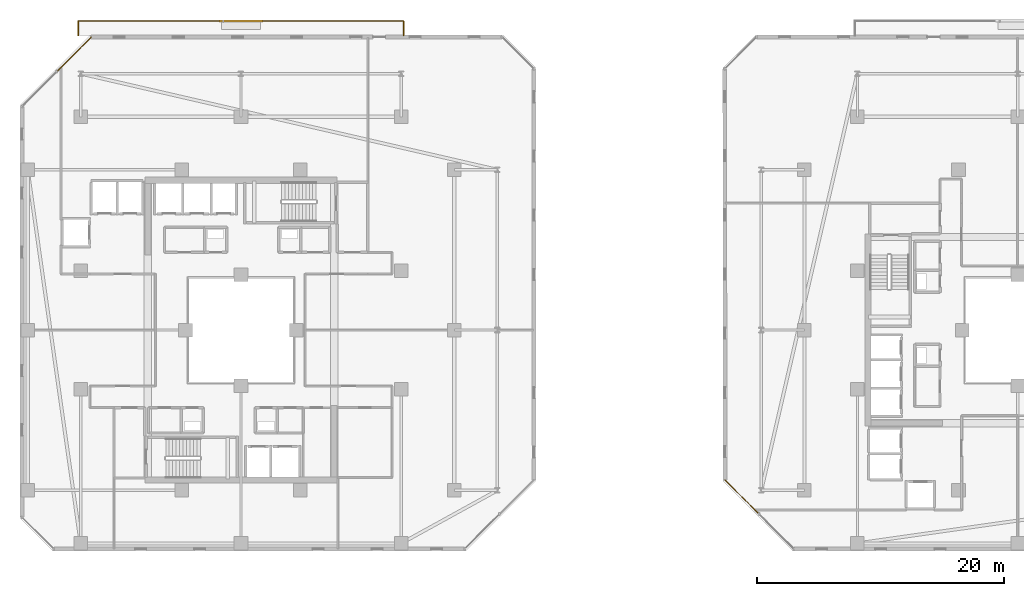
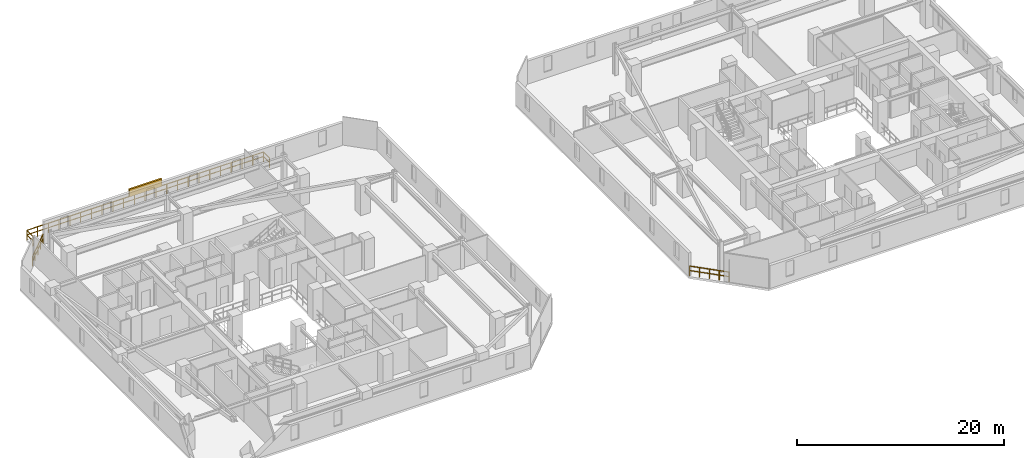
# One storey, part 30 of 32: 3 railings, 1 shading device.
"""IFC4 building model written with IfcOpenShell, lengths in metres."""

from ifc_helpers import new_model, si_unit, direction, frame, origin, origin_2d, place, context, subcontext, project, spatial, rectangle, extrude, material, type_object, element, save


model = new_model("IFC4")

# Units and contexts
model_context = context("Model", 3, precision=1e-05, world=origin(), true_north=direction((0.0, 1.0)))
body_context = subcontext(model_context, "Body", "Model", "MODEL_VIEW")
ifc_project = project(units=[si_unit("LENGTHUNIT", "METRE"), si_unit("AREAUNIT", "SQUARE_METRE"), si_unit("VOLUMEUNIT", "CUBIC_METRE"), si_unit("PLANEANGLEUNIT", "RADIAN"), si_unit("MASSUNIT", "GRAM", prefix="KILO")], contexts=[model_context])

# Site, building, storey
site_placement = place(None, origin())
site = spatial("IfcSite", under=ifc_project, at=site_placement, CompositionType="ELEMENT")
building_placement = place(site_placement, origin())
building = spatial("IfcBuilding", under=site, at=building_placement, Name="Thornwick Lancets Civic Towers", CompositionType="ELEMENT")
storey_placement = place(building_placement, frame((0.0, 0.0, 182.10009765625)))
storey = spatial("IfcBuildingStorey", under=building, at=storey_placement, Name="L48", CompositionType="ELEMENT", Elevation=182.10009765625)

# Railings
ifc_material_1 = material(Name="Terracotta-capped laminated glass balustrade S355", Category="masonry")
railing_type = type_object("IfcRailingType", Name="RAIL_TERR_GUARD", PredefinedType="GUARDRAIL", material=ifc_material_1)
railing_1_placement = place(storey_placement, frame((13.35205078125, 50.754638671875, 0.0)))
element("IfcRailing", 1, at=railing_1_placement, inside=storey, type_object=railing_type, Name="L48 Tower A Chamfer Spandrel Guard E5-1", PredefinedType="GUARDRAIL", context=body_context, shape_type="SweptSolid", body=[
    extrude(rectangle(XDim=0.048095703125, YDim=0.048095703125, at=origin_2d()), frame((0.0, 0.0, 1.1259765625), z_axis=(-0.707075811876, -0.707137749141, 0.0), x_axis=(0.707137749141, -0.707075811876, 0.0)), (0.0, 0.0, 1.0), 3.941650390625),
    extrude(rectangle(XDim=0.0419921875, YDim=0.0419921875, at=origin_2d()), frame((-0.026611328125, -0.026611328125, 0.597900390625), z_axis=(-0.707075811876, -0.707137749141, 0.0), x_axis=(0.707137749141, -0.707075811876, 0.0)), (0.0, 0.0, 1.0), 0.910400390625),
    extrude(rectangle(XDim=0.0419921875, YDim=0.0419921875, at=origin_2d()), frame((-0.723388671875, -0.723388671875, 0.597900390625), z_axis=(-0.707075811876, -0.707137749141, 0.0), x_axis=(0.707137749141, -0.707075811876, 0.0)), (0.0, 0.0, 1.0), 0.910400390625),
    extrude(rectangle(XDim=0.0419921875, YDim=0.0419921875, at=origin_2d()), frame((-1.420166015625, -1.420166015625, 0.597900390625), z_axis=(-0.707075811876, -0.707137749141, 0.0), x_axis=(0.707137749141, -0.707075811876, 0.0)), (0.0, 0.0, 1.0), 0.910400390625),
    extrude(rectangle(XDim=0.0419921875, YDim=0.0419921875, at=origin_2d()), frame((-2.116943359375, -2.116943359375, 0.597900390625), z_axis=(-0.707075811876, -0.707137749141, 0.0), x_axis=(0.707137749141, -0.707075811876, 0.0)), (0.0, 0.0, 1.0), 0.910400390625),
    extrude(rectangle(XDim=0.0419921875, YDim=0.0419921875, at=origin_2d()), origin(), (0.0, 0.0, 1.0), 1.095703125),
    extrude(rectangle(XDim=0.0419921875, YDim=0.0419921875, at=origin_2d()), frame((-0.69677734375, -0.69677734375, 0.0)), (0.0, 0.0, 1.0), 1.095703125),
    extrude(rectangle(XDim=0.0419921875, YDim=0.0419921875, at=origin_2d()), frame((-1.3935546875, -1.3935546875, 0.0)), (0.0, 0.0, 1.0), 1.095703125),
    extrude(rectangle(XDim=0.0419921875, YDim=0.0419921875, at=origin_2d()), frame((-2.09033203125, -2.090576171875, 0.0)), (0.0, 0.0, 1.0), 1.095703125),
    extrude(rectangle(XDim=0.0419921875, YDim=0.0419921875, at=origin_2d()), frame((-2.787109375, -2.787353515625, 0.0)), (0.0, 0.0, 1.0), 1.095703125),
])
railing_2_placement = place(storey_placement, frame((12.300048828125, 50.89990234375, 0.0)))
element("IfcRailing", 2, at=railing_2_placement, inside=storey, type_object=railing_type, Name="L48 Tower A Balcony Guard N", PredefinedType="GUARDRAIL", context=body_context, shape_type="SweptSolid", body=[
    extrude(rectangle(XDim=0.048095703125, YDim=0.048095703125, at=origin_2d()), frame((0.0, 0.0, 1.1259765625), z_axis=(0.0, 1.0, 0.0), x_axis=(-1.0, 0.0, 0.0)), (0.0, 0.0, 1.0), 1.138916015625),
    extrude(rectangle(XDim=0.0419921875, YDim=0.0419921875, at=origin_2d()), frame((0.0, 0.03759765625, 0.597900390625), z_axis=(0.0, 1.0, 0.0), x_axis=(-1.0, 0.0, 0.0)), (0.0, 0.0, 1.0), 1.09521484375),
    extrude(rectangle(XDim=0.048095703125, YDim=0.048095703125, at=origin_2d()), frame((0.03125, 1.170166015625, 1.1259765625), z_axis=(1.0, 0.0, 0.0), x_axis=(0.0, 1.0, 0.0)), (0.0, 0.0, 1.0), 26.33740234375),
    extrude(rectangle(XDim=0.0419921875, YDim=0.0419921875, at=origin_2d()), frame((0.03759765625, 1.170166015625, 0.597900390625), z_axis=(1.0, 0.0, 0.0), x_axis=(0.0, 1.0, 0.0)), (0.0, 0.0, 1.0), 1.125),
    extrude(rectangle(XDim=0.0419921875, YDim=0.0419921875, at=origin_2d()), frame((1.237548828125, 1.170166015625, 0.597900390625), z_axis=(1.0, 0.0, 0.0), x_axis=(0.0, 1.0, 0.0)), (0.0, 0.0, 1.0), 1.125),
    extrude(rectangle(XDim=0.0419921875, YDim=0.0419921875, at=origin_2d()), frame((2.4375, 1.170166015625, 0.597900390625), z_axis=(1.0, 0.0, 0.0), x_axis=(0.0, 1.0, 0.0)), (0.0, 0.0, 1.0), 1.125),
    extrude(rectangle(XDim=0.0419921875, YDim=0.0419921875, at=origin_2d()), frame((3.637451171875, 1.170166015625, 0.597900390625), z_axis=(1.0, 0.0, 0.0), x_axis=(0.0, 1.0, 0.0)), (0.0, 0.0, 1.0), 1.125),
    extrude(rectangle(XDim=0.0419921875, YDim=0.0419921875, at=origin_2d()), frame((4.83740234375, 1.170166015625, 0.597900390625), z_axis=(1.0, 0.0, 0.0), x_axis=(0.0, 1.0, 0.0)), (0.0, 0.0, 1.0), 1.125),
    extrude(rectangle(XDim=0.0419921875, YDim=0.0419921875, at=origin_2d()), frame((6.037353515625, 1.170166015625, 0.597900390625), z_axis=(1.0, 0.0, 0.0), x_axis=(0.0, 1.0, 0.0)), (0.0, 0.0, 1.0), 1.125),
    extrude(rectangle(XDim=0.0419921875, YDim=0.0419921875, at=origin_2d()), frame((7.237548828125, 1.170166015625, 0.597900390625), z_axis=(1.0, 0.0, 0.0), x_axis=(0.0, 1.0, 0.0)), (0.0, 0.0, 1.0), 1.125),
    extrude(rectangle(XDim=0.0419921875, YDim=0.0419921875, at=origin_2d()), frame((8.4375, 1.170166015625, 0.597900390625), z_axis=(1.0, 0.0, 0.0), x_axis=(0.0, 1.0, 0.0)), (0.0, 0.0, 1.0), 1.125),
    extrude(rectangle(XDim=0.0419921875, YDim=0.0419921875, at=origin_2d()), frame((9.637451171875, 1.170166015625, 0.597900390625), z_axis=(1.0, 0.0, 0.0), x_axis=(0.0, 1.0, 0.0)), (0.0, 0.0, 1.0), 1.125),
    extrude(rectangle(XDim=0.0419921875, YDim=0.0419921875, at=origin_2d()), frame((10.83740234375, 1.170166015625, 0.597900390625), z_axis=(1.0, 0.0, 0.0), x_axis=(0.0, 1.0, 0.0)), (0.0, 0.0, 1.0), 1.125),
    extrude(rectangle(XDim=0.0419921875, YDim=0.0419921875, at=origin_2d()), frame((12.037353515625, 1.170166015625, 0.597900390625), z_axis=(1.0, 0.0, 0.0), x_axis=(0.0, 1.0, 0.0)), (0.0, 0.0, 1.0), 1.125),
    extrude(rectangle(XDim=0.0419921875, YDim=0.0419921875, at=origin_2d()), frame((13.237548828125, 1.170166015625, 0.597900390625), z_axis=(1.0, 0.0, 0.0), x_axis=(0.0, 1.0, 0.0)), (0.0, 0.0, 1.0), 1.125),
    extrude(rectangle(XDim=0.0419921875, YDim=0.0419921875, at=origin_2d()), frame((14.4375, 1.170166015625, 0.597900390625), z_axis=(1.0, 0.0, 0.0), x_axis=(0.0, 1.0, 0.0)), (0.0, 0.0, 1.0), 1.125),
    extrude(rectangle(XDim=0.0419921875, YDim=0.0419921875, at=origin_2d()), frame((15.637451171875, 1.170166015625, 0.597900390625), z_axis=(1.0, 0.0, 0.0), x_axis=(0.0, 1.0, 0.0)), (0.0, 0.0, 1.0), 1.125),
    extrude(rectangle(XDim=0.0419921875, YDim=0.0419921875, at=origin_2d()), frame((16.83740234375, 1.170166015625, 0.597900390625), z_axis=(1.0, 0.0, 0.0), x_axis=(0.0, 1.0, 0.0)), (0.0, 0.0, 1.0), 1.125),
    extrude(rectangle(XDim=0.0419921875, YDim=0.0419921875, at=origin_2d()), frame((18.037353515625, 1.170166015625, 0.597900390625), z_axis=(1.0, 0.0, 0.0), x_axis=(0.0, 1.0, 0.0)), (0.0, 0.0, 1.0), 1.125),
    extrude(rectangle(XDim=0.0419921875, YDim=0.0419921875, at=origin_2d()), frame((19.2373046875, 1.170166015625, 0.597900390625), z_axis=(1.0, 0.0, 0.0), x_axis=(0.0, 1.0, 0.0)), (0.0, 0.0, 1.0), 1.125),
    extrude(rectangle(XDim=0.0419921875, YDim=0.0419921875, at=origin_2d()), frame((20.4375, 1.170166015625, 0.597900390625), z_axis=(1.0, 0.0, 0.0), x_axis=(0.0, 1.0, 0.0)), (0.0, 0.0, 1.0), 1.125),
    extrude(rectangle(XDim=0.0419921875, YDim=0.0419921875, at=origin_2d()), frame((21.637451171875, 1.170166015625, 0.597900390625), z_axis=(1.0, 0.0, 0.0), x_axis=(0.0, 1.0, 0.0)), (0.0, 0.0, 1.0), 1.125),
    extrude(rectangle(XDim=0.0419921875, YDim=0.0419921875, at=origin_2d()), frame((22.83740234375, 1.170166015625, 0.597900390625), z_axis=(1.0, 0.0, 0.0), x_axis=(0.0, 1.0, 0.0)), (0.0, 0.0, 1.0), 1.125),
    extrude(rectangle(XDim=0.0419921875, YDim=0.0419921875, at=origin_2d()), frame((24.037353515625, 1.170166015625, 0.597900390625), z_axis=(1.0, 0.0, 0.0), x_axis=(0.0, 1.0, 0.0)), (0.0, 0.0, 1.0), 1.125),
    extrude(rectangle(XDim=0.0419921875, YDim=0.0419921875, at=origin_2d()), frame((25.2373046875, 1.170166015625, 0.597900390625), z_axis=(1.0, 0.0, 0.0), x_axis=(0.0, 1.0, 0.0)), (0.0, 0.0, 1.0), 1.125),
    extrude(rectangle(XDim=0.048095703125, YDim=0.048095703125, at=origin_2d()), frame((26.39990234375, 1.138916015625, 1.1259765625), z_axis=(0.0, -1.0, 0.0), x_axis=(1.0, 0.0, 0.0)), (0.0, 0.0, 1.0), 1.138916015625),
    extrude(rectangle(XDim=0.0419921875, YDim=0.0419921875, at=origin_2d()), frame((26.39990234375, 1.132568359375, 0.597900390625), z_axis=(0.0, -1.0, 0.0), x_axis=(1.0, 0.0, 0.0)), (0.0, 0.0, 1.0), 1.09521484375),
    extrude(rectangle(XDim=0.0419921875, YDim=0.0419921875, at=origin_2d()), origin(), (0.0, 0.0, 1.0), 1.095703125),
    extrude(rectangle(XDim=0.0419921875, YDim=0.0419921875, at=origin_2d()), frame((0.0, 1.170166015625, 0.0)), (0.0, 0.0, 1.0), 1.095703125),
    extrude(rectangle(XDim=0.0419921875, YDim=0.0419921875, at=origin_2d()), frame((1.199951171875, 1.170166015625, 0.0)), (0.0, 0.0, 1.0), 1.095703125),
    extrude(rectangle(XDim=0.0419921875, YDim=0.0419921875, at=origin_2d()), frame((2.39990234375, 1.170166015625, 0.0)), (0.0, 0.0, 1.0), 1.095703125),
    extrude(rectangle(XDim=0.0419921875, YDim=0.0419921875, at=origin_2d()), frame((3.60009765625, 1.170166015625, 0.0)), (0.0, 0.0, 1.0), 1.095703125),
    extrude(rectangle(XDim=0.0419921875, YDim=0.0419921875, at=origin_2d()), frame((4.800048828125, 1.170166015625, 0.0)), (0.0, 0.0, 1.0), 1.095703125),
    extrude(rectangle(XDim=0.0419921875, YDim=0.0419921875, at=origin_2d()), frame((6.0, 1.170166015625, 0.0)), (0.0, 0.0, 1.0), 1.095703125),
    extrude(rectangle(XDim=0.0419921875, YDim=0.0419921875, at=origin_2d()), frame((7.199951171875, 1.170166015625, 0.0)), (0.0, 0.0, 1.0), 1.095703125),
    extrude(rectangle(XDim=0.0419921875, YDim=0.0419921875, at=origin_2d()), frame((8.39990234375, 1.170166015625, 0.0)), (0.0, 0.0, 1.0), 1.095703125),
    extrude(rectangle(XDim=0.0419921875, YDim=0.0419921875, at=origin_2d()), frame((9.599853515625, 1.170166015625, 0.0)), (0.0, 0.0, 1.0), 1.095703125),
    extrude(rectangle(XDim=0.0419921875, YDim=0.0419921875, at=origin_2d()), frame((10.800048828125, 1.170166015625, 0.0)), (0.0, 0.0, 1.0), 1.095703125),
    extrude(rectangle(XDim=0.0419921875, YDim=0.0419921875, at=origin_2d()), frame((12.0, 1.170166015625, 0.0)), (0.0, 0.0, 1.0), 1.095703125),
    extrude(rectangle(XDim=0.0419921875, YDim=0.0419921875, at=origin_2d()), frame((13.199951171875, 1.170166015625, 0.0)), (0.0, 0.0, 1.0), 1.095703125),
    extrude(rectangle(XDim=0.0419921875, YDim=0.0419921875, at=origin_2d()), frame((14.39990234375, 1.170166015625, 0.0)), (0.0, 0.0, 1.0), 1.095703125),
    extrude(rectangle(XDim=0.0419921875, YDim=0.0419921875, at=origin_2d()), frame((15.599853515625, 1.170166015625, 0.0)), (0.0, 0.0, 1.0), 1.095703125),
    extrude(rectangle(XDim=0.0419921875, YDim=0.0419921875, at=origin_2d()), frame((16.800048828125, 1.170166015625, 0.0)), (0.0, 0.0, 1.0), 1.095703125),
    extrude(rectangle(XDim=0.0419921875, YDim=0.0419921875, at=origin_2d()), frame((18.0, 1.170166015625, 0.0)), (0.0, 0.0, 1.0), 1.095703125),
    extrude(rectangle(XDim=0.0419921875, YDim=0.0419921875, at=origin_2d()), frame((19.199951171875, 1.170166015625, 0.0)), (0.0, 0.0, 1.0), 1.095703125),
    extrude(rectangle(XDim=0.0419921875, YDim=0.0419921875, at=origin_2d()), frame((20.39990234375, 1.170166015625, 0.0)), (0.0, 0.0, 1.0), 1.095703125),
    extrude(rectangle(XDim=0.0419921875, YDim=0.0419921875, at=origin_2d()), frame((21.599853515625, 1.170166015625, 0.0)), (0.0, 0.0, 1.0), 1.095703125),
    extrude(rectangle(XDim=0.0419921875, YDim=0.0419921875, at=origin_2d()), frame((22.7998046875, 1.170166015625, 0.0)), (0.0, 0.0, 1.0), 1.095703125),
    extrude(rectangle(XDim=0.0419921875, YDim=0.0419921875, at=origin_2d()), frame((24.0, 1.170166015625, 0.0)), (0.0, 0.0, 1.0), 1.095703125),
    extrude(rectangle(XDim=0.0419921875, YDim=0.0419921875, at=origin_2d()), frame((25.199951171875, 1.170166015625, 0.0)), (0.0, 0.0, 1.0), 1.095703125),
    extrude(rectangle(XDim=0.0419921875, YDim=0.0419921875, at=origin_2d()), frame((26.39990234375, 1.170166015625, 0.0)), (0.0, 0.0, 1.0), 1.095703125),
    extrude(rectangle(XDim=0.0419921875, YDim=0.0419921875, at=origin_2d()), frame((26.39990234375, 0.0, 0.0)), (0.0, 0.0, 1.0), 1.095703125),
])
railing_3_placement = place(storey_placement, frame((64.745361328125, 14.85205078125, 0.0)))
element("IfcRailing", 3, at=railing_3_placement, inside=storey, type_object=railing_type, Name="L48 Tower B Chamfer Spandrel Guard E7-1", PredefinedType="GUARDRAIL", context=body_context, shape_type="SweptSolid", body=[
    extrude(rectangle(XDim=0.048095703125, YDim=0.048095703125, at=origin_2d()), frame((0.0, 0.0, 1.1259765625), z_axis=(0.707137749141, -0.707075811876, 0.0), x_axis=(0.707075811876, 0.707137749141, 0.0)), (0.0, 0.0, 1.0), 3.941650390625),
    extrude(rectangle(XDim=0.0419921875, YDim=0.0419921875, at=origin_2d()), frame((0.026611328125, -0.026611328125, 0.597900390625), z_axis=(0.707137749141, -0.707075811876, 0.0), x_axis=(0.707075811876, 0.707137749141, 0.0)), (0.0, 0.0, 1.0), 0.910400390625),
    extrude(rectangle(XDim=0.0419921875, YDim=0.0419921875, at=origin_2d()), frame((0.723388671875, -0.723388671875, 0.597900390625), z_axis=(0.707137749141, -0.707075811876, 0.0), x_axis=(0.707075811876, 0.707137749141, 0.0)), (0.0, 0.0, 1.0), 0.910400390625),
    extrude(rectangle(XDim=0.0419921875, YDim=0.0419921875, at=origin_2d()), frame((1.420166015625, -1.420166015625, 0.597900390625), z_axis=(0.707137749141, -0.707075811876, 0.0), x_axis=(0.707075811876, 0.707137749141, 0.0)), (0.0, 0.0, 1.0), 0.910400390625),
    extrude(rectangle(XDim=0.0419921875, YDim=0.0419921875, at=origin_2d()), frame((2.116943359375, -2.116943359375, 0.597900390625), z_axis=(0.707137749141, -0.707075811876, 0.0), x_axis=(0.707075811876, 0.707137749141, 0.0)), (0.0, 0.0, 1.0), 0.910400390625),
    extrude(rectangle(XDim=0.0419921875, YDim=0.0419921875, at=origin_2d()), origin(), (0.0, 0.0, 1.0), 1.095703125),
    extrude(rectangle(XDim=0.0419921875, YDim=0.0419921875, at=origin_2d()), frame((0.69677734375, -0.69677734375, 0.0)), (0.0, 0.0, 1.0), 1.095703125),
    extrude(rectangle(XDim=0.0419921875, YDim=0.0419921875, at=origin_2d()), frame((1.3935546875, -1.3935546875, 0.0)), (0.0, 0.0, 1.0), 1.095703125),
    extrude(rectangle(XDim=0.0419921875, YDim=0.0419921875, at=origin_2d()), frame((2.090576171875, -2.09033203125, 0.0)), (0.0, 0.0, 1.0), 1.095703125),
    extrude(rectangle(XDim=0.0419921875, YDim=0.0419921875, at=origin_2d()), frame((2.787353515625, -2.787109375, 0.0)), (0.0, 0.0, 1.0), 1.095703125),
])

# Shading device
ifc_material_2 = material(Name="Extruded terracotta baguette solar screen", Category="masonry")
shading_device_type = type_object("IfcShadingDeviceType", Name="SHADE_BAGUETTE", PredefinedType="JALOUSIE", material=ifc_material_2)
shading_device_placement = place(storey_placement, frame((25.5, 52.06005859375, 1.119873046875), z_axis=(0.0, 0.0, 1.0), x_axis=(1.0, 0.0, 0.0)))
element("IfcShadingDevice", 4, at=shading_device_placement, inside=storey, type_object=shading_device_type, Name="L48 Tower A Terracotta Baguette Screen N", PredefinedType="JALOUSIE", context=body_context, shape_type="SweptSolid", body=[
    extrude(rectangle(XDim=3.60009765625, YDim=0.179931640625, at=origin_2d()), origin(), (0.0, 0.0, 1.0), 0.89990234375),
])

save(model, "model.ifc")
